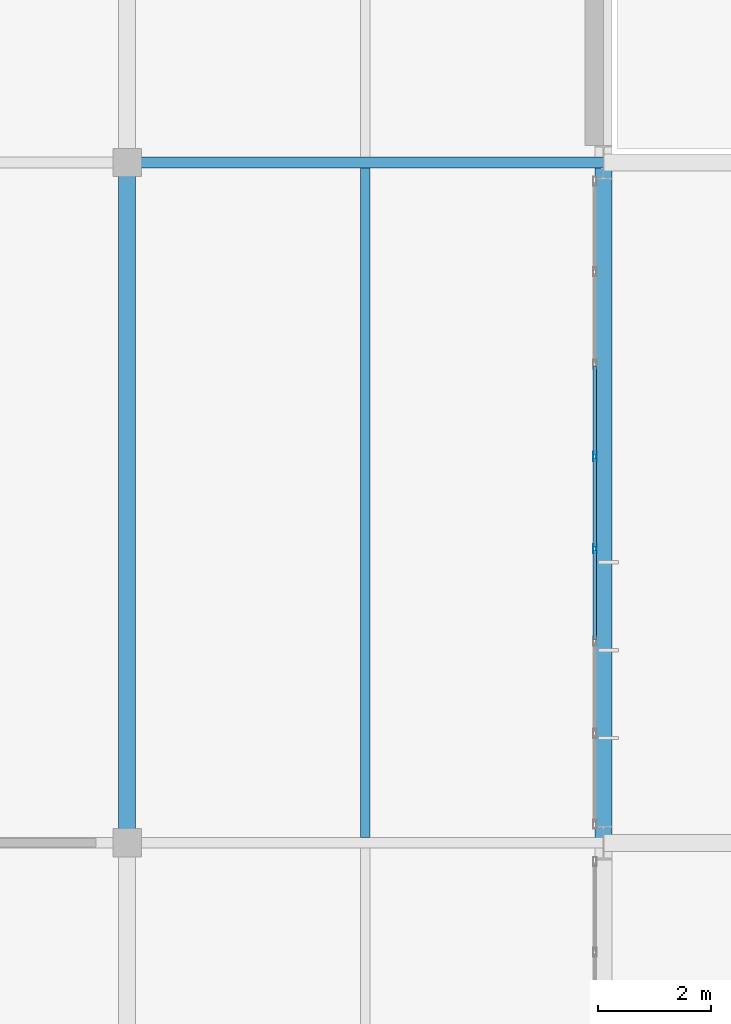
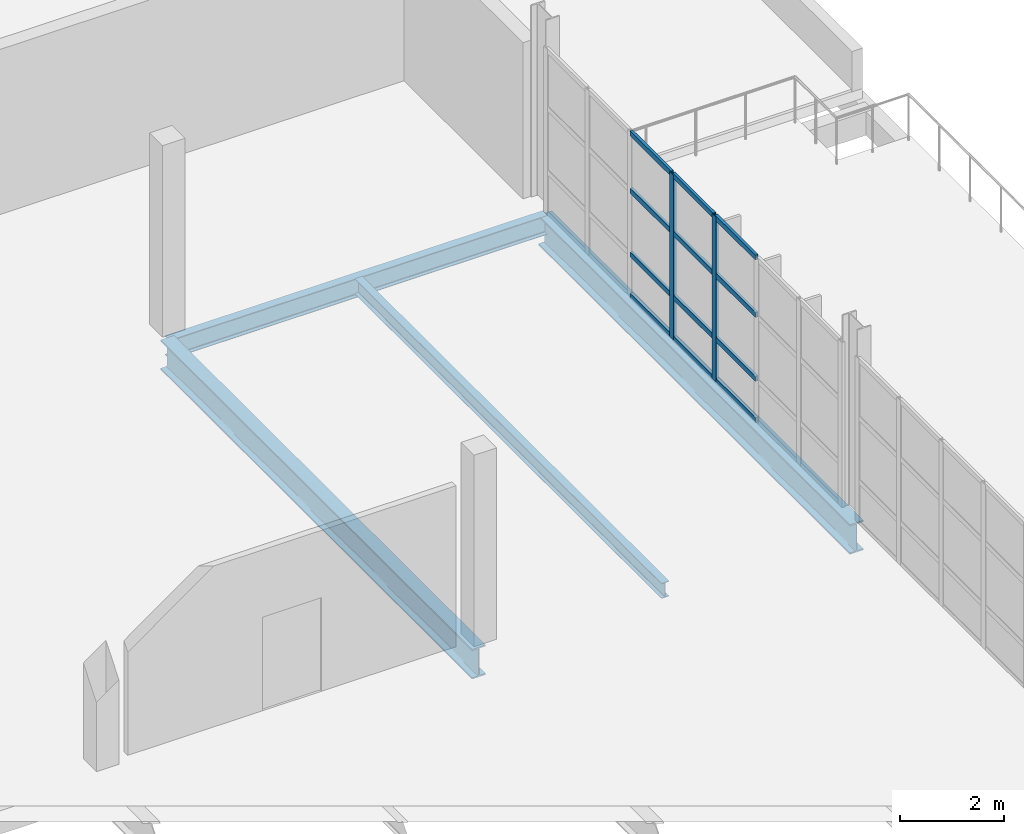
# One storey, part 82 of 109: 14 members, 4 beams, 1 element without a shape of its own.
"""IFC4 building model written with IfcOpenShell, lengths in metres."""

import ifcopenshell
import ifcopenshell.guid

model = None  # the IFC model being written
_history = None  # IfcOwnerHistory: only IFC2X3 demands one
_inside = {}  # id of a spatial element -> (the spatial element, [elements in it])
_under = {}  # id of a project, library or spatial element -> (it, [spatial elements below it])
_declared = {}  # id of a project -> (the project, [libraries it declares])
_typed = {}  # id of a type object -> (the type object, [elements of that type])
_made_of = {}  # id of a material, layer set ... -> (it, [elements and type objects made of it])


def new_model(schema):
    """Start an empty IFC model of exactly this schema.

    Asked for "IFC4X3", IfcOpenShell would pick the latest addendum, in which some entities
    have other attributes; the version numbers below select the first issue.
    IFC2X3 requires an IfcOwnerHistory on every rooted entity: one is made here for all.
    """
    global model, _history
    if schema == "IFC4X3":
        model = ifcopenshell.file(schema_version=(4, 3, 0, 0))
    else:
        model = ifcopenshell.file(schema=schema)
    _inside.clear()
    _under.clear()
    _declared.clear()
    _typed.clear()
    _made_of.clear()
    _history = None
    if model.schema == "IFC2X3":
        org = make("IfcOrganization", Name="unknown")
        user = make(
            "IfcPersonAndOrganization",
            ThePerson=make("IfcPerson", FamilyName="unknown"),
            TheOrganization=org,
        )
        app = make(
            "IfcApplication",
            ApplicationDeveloper=org,
            Version="unknown",
            ApplicationFullName="unknown",
            ApplicationIdentifier="unknown",
        )
        _history = make(
            "IfcOwnerHistory",
            OwningUser=user,
            OwningApplication=app,
            ChangeAction="ADDED",
            CreationDate=0,
        )
    return model


def make(cls, **values):
    """One entity of the class cls with the attributes given. An attribute that is None is left unset."""
    return model.create_entity(
        cls, **{name: value for name, value in values.items() if value is not None}
    )


def rooted(cls, **values):
    """An entity with a GlobalId (a new one), such as an element, a storey or a relation."""
    return make(cls, GlobalId=ifcopenshell.guid.new(), OwnerHistory=_history, **values)


def si_unit(unit_type, name, prefix=None):
    """IfcSIUnit, for example si_unit("LENGTHUNIT", "METRE", prefix="MILLI")."""
    return make("IfcSIUnit", UnitType=unit_type, Prefix=prefix, Name=name)


def assignment(units):
    """IfcUnitAssignment: the units of a project."""
    return None if units is None else make("IfcUnitAssignment", Units=units)


def point(xyz):
    """IfcCartesianPoint."""
    return None if xyz is None else make("IfcCartesianPoint", Coordinates=xyz)


def direction(xyz):
    """IfcDirection."""
    return None if xyz is None else make("IfcDirection", DirectionRatios=xyz)


def frame(location, z_axis=None, x_axis=None):
    """IfcAxis2Placement3D, a coordinate frame: its origin and axes. An axis left out is left unset."""
    return make(
        "IfcAxis2Placement3D",
        Location=point(location),
        Axis=direction(z_axis),
        RefDirection=direction(x_axis),
    )


def frame_2d(location, x_axis=None):
    """IfcAxis2Placement2D, a coordinate frame in the plane: its origin and x axis."""
    return make(
        "IfcAxis2Placement2D", Location=point(location), RefDirection=direction(x_axis)
    )


def origin():
    """The frame at (0, 0, 0) with its axes left unset."""
    return frame((0.0, 0.0, 0.0))


def origin_2d():
    """The frame at (0, 0) in the plane with its x axis left unset."""
    return frame_2d((0.0, 0.0))


def place(relative_to, where):
    """IfcLocalPlacement: puts the frame where relative to a parent placement (None: the world)."""
    return make(
        "IfcLocalPlacement", PlacementRelTo=relative_to, RelativePlacement=where
    )


def context(
    kind, dimensions, precision=None, world=None, true_north=None, identifier=None
):
    """IfcGeometricRepresentationContext, for example the 3D "Model" context."""
    return make(
        "IfcGeometricRepresentationContext",
        ContextIdentifier=identifier,
        ContextType=kind,
        CoordinateSpaceDimension=dimensions,
        Precision=precision,
        WorldCoordinateSystem=world,
        TrueNorth=true_north,
    )


def subcontext(parent, identifier, kind, view, scale=None):
    """IfcGeometricRepresentationSubContext, for example "Body" below "Model"."""
    return make(
        "IfcGeometricRepresentationSubContext",
        ContextIdentifier=identifier,
        ContextType=kind,
        ParentContext=parent,
        TargetScale=scale,
        TargetView=view,
    )


def project(units=None, contexts=None):
    """IfcProject with its units and contexts."""
    return rooted(
        "IfcProject",
        Name="project",
        RepresentationContexts=contexts,
        UnitsInContext=assignment(units),
    )


def spatial(cls, under=None, at=None, **own):
    """A site, building, storey or space (cls), placed at a placement, below another one or the project."""
    s = rooted(cls, ObjectPlacement=at, **own)
    if under is not None:
        _under.setdefault(under.id(), (under, []))[1].append(s)
    return s


def profile(cls, at=None, kind="AREA", **sizes):
    """A parametric profile (cls). Its sizes go by their IFC names, for example OverallWidth=200.0."""
    return make(cls, ProfileType=kind, Position=at, **sizes)


def hollow_rectangle(**sizes):
    """IfcRectangleHollowProfileDef."""
    return profile("IfcRectangleHollowProfileDef", **sizes)


def i_section(**sizes):
    """IfcIShapeProfileDef."""
    return profile("IfcIShapeProfileDef", **sizes)


def extrude(swept, where, along, depth):
    """IfcExtrudedAreaSolid: the profile swept, set in the frame where, extruded along a direction by depth."""
    return make(
        "IfcExtrudedAreaSolid",
        SweptArea=swept,
        Position=where,
        ExtrudedDirection=direction(along),
        Depth=depth,
    )


def shape(context_of_items, identifier, shape_type, items):
    """IfcShapeRepresentation: the items that make up one representation, for example the "Body"."""
    return make(
        "IfcShapeRepresentation",
        ContextOfItems=context_of_items,
        RepresentationIdentifier=identifier,
        RepresentationType=shape_type,
        Items=items,
    )


def material(Name=None, Category=None):
    """IfcMaterial."""
    return make("IfcMaterial", Name=Name, Category=Category)


def material_profile(
    of_material, cross_section, Name=None, Category=None, Priority=None
):
    """IfcMaterialProfile: a cross section and its material."""
    return make(
        "IfcMaterialProfile",
        Name=Name,
        Material=of_material,
        Profile=cross_section,
        Priority=Priority,
        Category=Category,
    )


def profile_set(profiles, Name=None, composite=None):
    """IfcMaterialProfileSet."""
    return make(
        "IfcMaterialProfileSet",
        Name=Name,
        MaterialProfiles=profiles,
        CompositeProfile=composite,
    )


def made_of(thing, what):
    """Note that an element or type object is made of a material, layer set ...; save() writes the relation."""
    if what is not None:
        _made_of.setdefault(what.id(), (what, []))[1].append(thing)
    return thing


def type_object(cls, material=None, **own):
    """A type object (cls), such as IfcWallType, which elements share."""
    return made_of(rooted(cls, **own), material)


def element(
    cls,
    number,
    at=None,
    inside=None,
    cuts=None,
    type_object=None,
    material=None,
    context=None,
    identifier="Body",
    shape_type=None,
    held_by="IfcProductDefinitionShape",
    body=None,
    shapes=None,
    **own,
):
    """One element of the class cls, such as IfcWall. Its Tag is "e" and its number.

    at: its placement. inside: the storey or other place that contains it. cuts: it is an
    opening in that element (IfcRelVoidsElement). A single representation is given by context,
    identifier, shape_type and body (its items); several are given by shapes. held_by: the class
    of the entity that holds the representations. save() writes the other relations.
    """
    e = rooted(cls, Tag="e%d" % number, ObjectPlacement=at, **own)
    if body is not None:
        shapes = [shape(context, identifier, shape_type, body)]
    if shapes is not None:
        e.Representation = make(held_by, Representations=shapes)
    if inside is not None:
        _inside.setdefault(inside.id(), (inside, []))[1].append(e)
    if cuts is not None:
        rooted(
            "IfcRelVoidsElement", RelatingBuildingElement=cuts, RelatedOpeningElement=e
        )
    if type_object is not None:
        _typed.setdefault(type_object.id(), (type_object, []))[1].append(e)
    return made_of(e, material)


def aggregate(whole, parts):
    """IfcRelAggregates: a whole, such as a stair, and the parts it consists of."""
    return rooted("IfcRelAggregates", RelatingObject=whole, RelatedObjects=parts)


def save(model, path):
    """Write the relations noted so far, then the file.

    IfcRelAggregates (storeys below a building ...), IfcRelContainedInSpatialStructure (elements
    in a storey), IfcRelDefinesByType, IfcRelAssociatesMaterial and IfcRelDeclares: one each for
    every whole, place, type object, material and project.
    """
    for whole, parts in _under.values():
        aggregate(whole, parts)
    for where, things in _inside.values():
        rooted(
            "IfcRelContainedInSpatialStructure",
            RelatedElements=things,
            RelatingStructure=where,
        )
    for kind, things in _typed.values():
        rooted("IfcRelDefinesByType", RelatedObjects=things, RelatingType=kind)
    for what, things in _made_of.values():
        rooted("IfcRelAssociatesMaterial", RelatedObjects=things, RelatingMaterial=what)
    for by, libraries in _declared.values():
        rooted("IfcRelDeclares", RelatingContext=by, RelatedDefinitions=libraries)
    model.write(path)


model = new_model("IFC4")

# Units and contexts
model_context = context("Model", 3, precision=1e-05, world=origin(), true_north=direction((0.0, 1.0)))
body_context = subcontext(model_context, "Body", "Model", "MODEL_VIEW")
ifc_project = project(units=[si_unit("LENGTHUNIT", "METRE"), si_unit("AREAUNIT", "SQUARE_METRE"), si_unit("VOLUMEUNIT", "CUBIC_METRE"), si_unit("PLANEANGLEUNIT", "RADIAN"), si_unit("MASSUNIT", "GRAM", prefix="KILO")], contexts=[model_context])

# Site, building, storey
site_placement = place(None, origin())
site = spatial("IfcSite", under=ifc_project, at=site_placement, CompositionType="ELEMENT")
building_placement = place(site_placement, origin())
building = spatial("IfcBuilding", under=site, at=building_placement, Name="Veltarok Museum of Natural Sciences", CompositionType="ELEMENT")
storey_placement = place(building_placement, frame((0.0, 0.0, 17.39990234375)))
storey = spatial("IfcBuildingStorey", under=building, at=storey_placement, Name="L03", CompositionType="ELEMENT", Elevation=17.39990234375)

# Curtain wall, members
ifc_material_1 = material(Name="Low-iron triple insulated glass", Category="glass")
curtain_wall_type = type_object("IfcCurtainWallType", Name="Curtain Wall System CW-V5E-L03-F-1140x388 (V5 East Lab L03 F-G 1140x388cm)", PredefinedType="NOTDEFINED", material=ifc_material_1)
curtain_wall_placement = place(storey_placement, origin())
curtain_wall = element("IfcCurtainWall", 1, at=curtain_wall_placement, inside=storey, type_object=curtain_wall_type, Name="Curtain Wall CW-V5E-L03-F-1140x388 CW-0119", PredefinedType="NOTDEFINED")
ifc_material_2 = material(Name="Thermally broken anodised aluminium", Category="aluminium")
ifc_material_profile_1 = material_profile(ifc_material_2, hollow_rectangle(XDim=0.06005859375, YDim=0.1201171875, WallThickness=0.0048828125, at=origin_2d()), Name="CW TRANSOM 60x120x5")
ifc_profile_set_1 = profile_set([ifc_material_profile_1], Name="Thermally broken anodised aluminium")
member_type_1 = type_object("IfcMemberType", Name="Curtain Wall Horizontal Transom 60x120x5", PredefinedType="USERDEFINED", material=ifc_profile_set_1)
member_1_placement = place(storey_placement, frame((157.449951171875, 51.587158203125, 0.030029296875), z_axis=(0.0, 1.0, 0.0), x_axis=(-1.0, 0.0, 0.0)))
member_1 = element("IfcMember", 2, at=member_1_placement, type_object=member_type_1, Name="CW-V5E-L03-F-1140x388 transom 3.1", ObjectType="TRANSOM", PredefinedType="USERDEFINED", context=body_context, shape_type="SweptSolid", body=[
    extrude(hollow_rectangle(XDim=0.06005859375, YDim=0.1201171875, WallThickness=0.0048828125, at=origin_2d()), origin(), (0.0, 0.0, 1.0), 1.568603515625),
])
member_2_placement = place(storey_placement, frame((157.449951171875, 51.587158203125, 1.0), z_axis=(0.0, 1.0, 0.0), x_axis=(-1.0, 0.0, 0.0)))
member_2 = element("IfcMember", 3, at=member_2_placement, type_object=member_type_1, Name="CW-V5E-L03-F-1140x388 transom 3.2", ObjectType="TRANSOM", PredefinedType="USERDEFINED", context=body_context, shape_type="SweptSolid", body=[
    extrude(hollow_rectangle(XDim=0.06005859375, YDim=0.1201171875, WallThickness=0.0048828125, at=origin_2d()), origin(), (0.0, 0.0, 1.0), 1.568603515625),
])
member_3_placement = place(storey_placement, frame((157.449951171875, 51.587158203125, 2.5), z_axis=(0.0, 1.0, 0.0), x_axis=(-1.0, 0.0, 0.0)))
member_3 = element("IfcMember", 4, at=member_3_placement, type_object=member_type_1, Name="CW-V5E-L03-F-1140x388 transom 3.3", ObjectType="TRANSOM", PredefinedType="USERDEFINED", context=body_context, shape_type="SweptSolid", body=[
    extrude(hollow_rectangle(XDim=0.06005859375, YDim=0.1201171875, WallThickness=0.0048828125, at=origin_2d()), origin(), (0.0, 0.0, 1.0), 1.568603515625),
])
member_4_placement = place(storey_placement, frame((157.449951171875, 51.587158203125, 3.85009765625), z_axis=(0.0, 1.0, 0.0), x_axis=(-1.0, 0.0, 0.0)))
member_4 = element("IfcMember", 5, at=member_4_placement, type_object=member_type_1, Name="CW-V5E-L03-F-1140x388 transom 3.4", ObjectType="TRANSOM", PredefinedType="USERDEFINED", context=body_context, shape_type="SweptSolid", body=[
    extrude(hollow_rectangle(XDim=0.06005859375, YDim=0.1201171875, WallThickness=0.0048828125, at=origin_2d()), origin(), (0.0, 0.0, 1.0), 1.568603515625),
])
member_5_placement = place(storey_placement, frame((157.449951171875, 53.2158203125, 0.030029296875), z_axis=(0.0, 1.0, 0.0), x_axis=(-1.0, 0.0, 0.0)))
member_5 = element("IfcMember", 6, at=member_5_placement, type_object=member_type_1, Name="CW-V5E-L03-F-1140x388 transom 4.1", ObjectType="TRANSOM", PredefinedType="USERDEFINED", context=body_context, shape_type="SweptSolid", body=[
    extrude(hollow_rectangle(XDim=0.06005859375, YDim=0.1201171875, WallThickness=0.0048828125, at=origin_2d()), origin(), (0.0, 0.0, 1.0), 1.568359375),
])
member_6_placement = place(storey_placement, frame((157.449951171875, 53.2158203125, 1.0), z_axis=(0.0, 1.0, 0.0), x_axis=(-1.0, 0.0, 0.0)))
member_6 = element("IfcMember", 7, at=member_6_placement, type_object=member_type_1, Name="CW-V5E-L03-F-1140x388 transom 4.2", ObjectType="TRANSOM", PredefinedType="USERDEFINED", context=body_context, shape_type="SweptSolid", body=[
    extrude(hollow_rectangle(XDim=0.06005859375, YDim=0.1201171875, WallThickness=0.0048828125, at=origin_2d()), origin(), (0.0, 0.0, 1.0), 1.568359375),
])
member_7_placement = place(storey_placement, frame((157.449951171875, 53.2158203125, 2.5), z_axis=(0.0, 1.0, 0.0), x_axis=(-1.0, 0.0, 0.0)))
member_7 = element("IfcMember", 8, at=member_7_placement, type_object=member_type_1, Name="CW-V5E-L03-F-1140x388 transom 4.3", ObjectType="TRANSOM", PredefinedType="USERDEFINED", context=body_context, shape_type="SweptSolid", body=[
    extrude(hollow_rectangle(XDim=0.06005859375, YDim=0.1201171875, WallThickness=0.0048828125, at=origin_2d()), origin(), (0.0, 0.0, 1.0), 1.568359375),
])
member_8_placement = place(storey_placement, frame((157.449951171875, 53.2158203125, 3.85009765625), z_axis=(0.0, 1.0, 0.0), x_axis=(-1.0, 0.0, 0.0)))
member_8 = element("IfcMember", 9, at=member_8_placement, type_object=member_type_1, Name="CW-V5E-L03-F-1140x388 transom 4.4", ObjectType="TRANSOM", PredefinedType="USERDEFINED", context=body_context, shape_type="SweptSolid", body=[
    extrude(hollow_rectangle(XDim=0.06005859375, YDim=0.1201171875, WallThickness=0.0048828125, at=origin_2d()), origin(), (0.0, 0.0, 1.0), 1.568359375),
])
member_9_placement = place(storey_placement, frame((157.449951171875, 54.84423828125, 0.030029296875), z_axis=(0.0, 1.0, 0.0), x_axis=(-1.0, 0.0, 0.0)))
member_9 = element("IfcMember", 10, at=member_9_placement, type_object=member_type_1, Name="CW-V5E-L03-F-1140x388 transom 5.1", ObjectType="TRANSOM", PredefinedType="USERDEFINED", context=body_context, shape_type="SweptSolid", body=[
    extrude(hollow_rectangle(XDim=0.06005859375, YDim=0.1201171875, WallThickness=0.0048828125, at=origin_2d()), origin(), (0.0, 0.0, 1.0), 1.568603515625),
])
member_10_placement = place(storey_placement, frame((157.449951171875, 54.84423828125, 1.0), z_axis=(0.0, 1.0, 0.0), x_axis=(-1.0, 0.0, 0.0)))
member_10 = element("IfcMember", 11, at=member_10_placement, type_object=member_type_1, Name="CW-V5E-L03-F-1140x388 transom 5.2", ObjectType="TRANSOM", PredefinedType="USERDEFINED", context=body_context, shape_type="SweptSolid", body=[
    extrude(hollow_rectangle(XDim=0.06005859375, YDim=0.1201171875, WallThickness=0.0048828125, at=origin_2d()), origin(), (0.0, 0.0, 1.0), 1.568603515625),
])
member_11_placement = place(storey_placement, frame((157.449951171875, 54.84423828125, 2.5), z_axis=(0.0, 1.0, 0.0), x_axis=(-1.0, 0.0, 0.0)))
member_11 = element("IfcMember", 12, at=member_11_placement, type_object=member_type_1, Name="CW-V5E-L03-F-1140x388 transom 5.3", ObjectType="TRANSOM", PredefinedType="USERDEFINED", context=body_context, shape_type="SweptSolid", body=[
    extrude(hollow_rectangle(XDim=0.06005859375, YDim=0.1201171875, WallThickness=0.0048828125, at=origin_2d()), origin(), (0.0, 0.0, 1.0), 1.568603515625),
])
member_12_placement = place(storey_placement, frame((157.449951171875, 54.84423828125, 3.85009765625), z_axis=(0.0, 1.0, 0.0), x_axis=(-1.0, 0.0, 0.0)))
member_12 = element("IfcMember", 13, at=member_12_placement, type_object=member_type_1, Name="CW-V5E-L03-F-1140x388 transom 5.4", ObjectType="TRANSOM", PredefinedType="USERDEFINED", context=body_context, shape_type="SweptSolid", body=[
    extrude(hollow_rectangle(XDim=0.06005859375, YDim=0.1201171875, WallThickness=0.0048828125, at=origin_2d()), origin(), (0.0, 0.0, 1.0), 1.568603515625),
])
ifc_material_profile_2 = material_profile(ifc_material_2, hollow_rectangle(XDim=0.06005859375, YDim=0.159912109375, WallThickness=0.0048828125, at=origin_2d()), Name="CW MULLION 60x160x5")
ifc_profile_set_2 = profile_set([ifc_material_profile_2], Name="Thermally broken anodised aluminium")
member_type_2 = type_object("IfcMemberType", Name="Curtain Wall Vertical Mullion 60x160x5", PredefinedType="MULLION", material=ifc_profile_set_2)
member_13_placement = place(storey_placement, frame((157.449951171875, 53.185791015625, 0.0), z_axis=(0.0, 0.0, 1.0), x_axis=(-1.0, 0.0, 0.0)))
member_13 = element("IfcMember", 14, at=member_13_placement, type_object=member_type_2, Name="CW-V5E-L03-F-1140x388 mullion 4", PredefinedType="MULLION", context=body_context, shape_type="SweptSolid", body=[
    extrude(hollow_rectangle(XDim=0.06005859375, YDim=0.159912109375, WallThickness=0.0048828125, at=origin_2d()), origin(), (0.0, 0.0, 1.0), 3.880126953125),
])
member_14_placement = place(storey_placement, frame((157.449951171875, 54.814208984375, 0.0), z_axis=(0.0, 0.0, 1.0), x_axis=(-1.0, 0.0, 0.0)))
member_14 = element("IfcMember", 15, at=member_14_placement, type_object=member_type_2, Name="CW-V5E-L03-F-1140x388 mullion 5", PredefinedType="MULLION", context=body_context, shape_type="SweptSolid", body=[
    extrude(hollow_rectangle(XDim=0.06005859375, YDim=0.159912109375, WallThickness=0.0048828125, at=origin_2d()), origin(), (0.0, 0.0, 1.0), 3.880126953125),
])
aggregate(curtain_wall, [member_13, member_14, member_1, member_2, member_3, member_4, member_5, member_6, member_7, member_8, member_9, member_10, member_11, member_12])

# Beams
ifc_material_3 = material(Name="Steel S355J2", Category="steel")
ifc_material_profile_3 = material_profile(ifc_material_3, i_section(OverallWidth=0.18994140625, OverallDepth=0.449951171875, WebThickness=0.009521484375, FlangeThickness=0.0146484375, FilletRadius=0.02099609375, at=origin_2d()), Name="IPE 450")
ifc_profile_set_3 = profile_set([ifc_material_profile_3], Name="Steel S355J2")
beam_type_1 = type_object("IfcBeamType", Name="Laboratory Floor Girder IPE 450", PredefinedType="BEAM", material=ifc_profile_set_3)
beam_1_placement = place(storey_placement, frame((149.199951171875, 60.0, -0.48486328125), z_axis=(1.0, 0.0, 0.0), x_axis=(0.0, 1.0, 0.0)))
element("IfcBeam", 16, at=beam_1_placement, inside=storey, type_object=beam_type_1, Name="Beam BM-G05 L03 18-19/G", PredefinedType="BEAM", context=body_context, shape_type="SweptSolid", body=[
    extrude(i_section(OverallWidth=0.18994140625, OverallDepth=0.449951171875, WebThickness=0.009521484375, FlangeThickness=0.0146484375, FilletRadius=0.02099609375, at=origin_2d()), origin(), (0.0, 0.0, 1.0), 8.400146484375),
])
ifc_material_profile_4 = material_profile(ifc_material_3, i_section(OverallWidth=0.169921875, OverallDepth=0.360107421875, WebThickness=0.008056640625, FlangeThickness=0.0126953125, FilletRadius=0.01806640625, at=origin_2d()), Name="IPE 360")
ifc_profile_set_4 = profile_set([ifc_material_profile_4], Name="Steel S355J2")
beam_type_2 = type_object("IfcBeamType", Name="Long-Bay Composite Joist IPE 360", PredefinedType="JOIST", material=ifc_profile_set_4)
beam_2_placement = place(storey_placement, frame((153.39990234375, 48.093017578125, -0.429931640625), z_axis=(0.0, 1.0, 0.0), x_axis=(-1.0, 0.0, 0.0)))
element("IfcBeam", 17, at=beam_2_placement, inside=storey, type_object=beam_type_2, Name="Secondary Joist BM-J01 L03 18-19/F-G.1", PredefinedType="JOIST", context=body_context, shape_type="SweptSolid", body=[
    extrude(i_section(OverallWidth=0.169921875, OverallDepth=0.360107421875, WebThickness=0.008056640625, FlangeThickness=0.0126953125, FilletRadius=0.01806640625, at=origin_2d()), origin(), (0.0, 0.0, 1.0), 11.81396484375),
])
ifc_material_profile_5 = material_profile(ifc_material_3, i_section(OverallWidth=0.300048828125, OverallDepth=0.699951171875, WebThickness=0.01708984375, FlangeThickness=0.031982421875, FilletRadius=0.027099609375, at=origin_2d()), Name="HEB 700")
ifc_profile_set_5 = profile_set([ifc_material_profile_5], Name="Steel S355J2")
beam_type_3 = type_object("IfcBeamType", Name="Long-Span Hall Girder HEB 700", PredefinedType="BEAM", material=ifc_profile_set_5)
for number, where, z_axis, x_axis, name in (
    (18, (149.199951171875, 48.0, -0.599853515625), (0.0, 1.0, 0.0), (-1.0, 0.0, 0.0), "Beam BM-G01 L03 18/F-G"),
    (19, (157.60009765625, 48.0, -0.60986328125), (0.0, 1.0, 0.0), (-1.0, 0.0, 0.0), "Beam BM-G01 L03 19/F-G"),
):
    element("IfcBeam", number, at=place(storey_placement, frame(where, z_axis=z_axis, x_axis=x_axis)), inside=storey, type_object=beam_type_3, Name=name, PredefinedType="BEAM", context=body_context, shape_type="SweptSolid", body=[
        extrude(i_section(OverallWidth=0.300048828125, OverallDepth=0.699951171875, WebThickness=0.01708984375, FlangeThickness=0.031982421875, FilletRadius=0.027099609375, at=origin_2d()), origin(), (0.0, 0.0, 1.0), 12.0),
    ])

save(model, "model.ifc")
